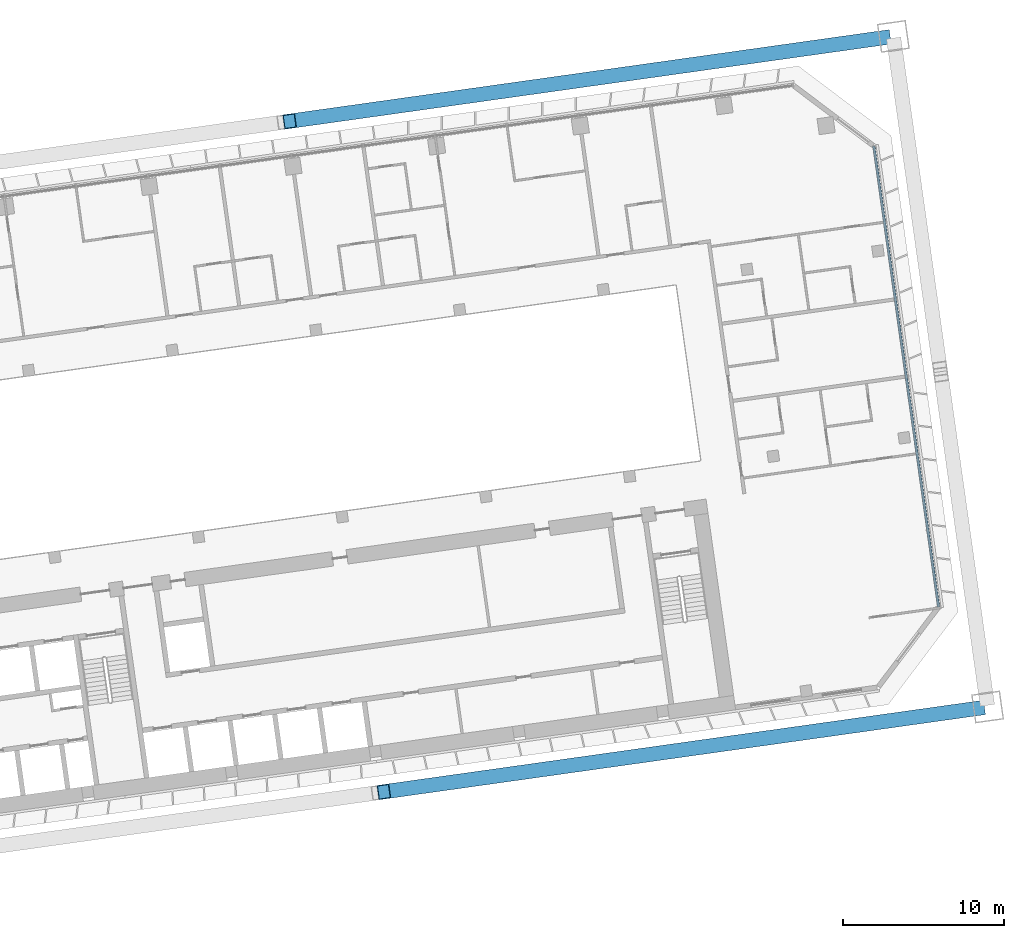
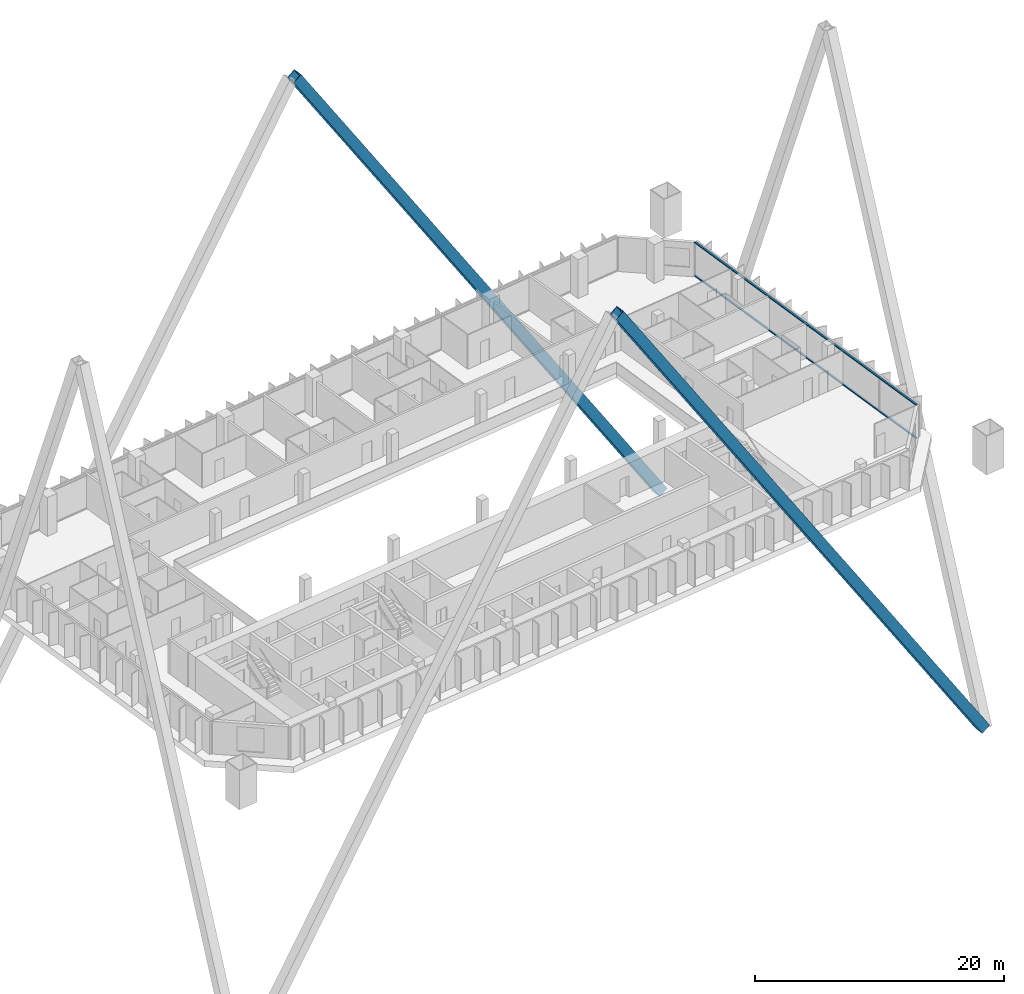
# One storey, part 30 of 49: 4 members, 1 element without a shape of its own.
"""IFC4 building model written with IfcOpenShell, lengths in metres."""

import ifcopenshell
import ifcopenshell.guid

model = None  # the IFC model being written
_history = None  # IfcOwnerHistory: only IFC2X3 demands one
_inside = {}  # id of a spatial element -> (the spatial element, [elements in it])
_under = {}  # id of a project, library or spatial element -> (it, [spatial elements below it])
_declared = {}  # id of a project -> (the project, [libraries it declares])
_typed = {}  # id of a type object -> (the type object, [elements of that type])
_made_of = {}  # id of a material, layer set ... -> (it, [elements and type objects made of it])


def new_model(schema):
    """Start an empty IFC model of exactly this schema.

    Asked for "IFC4X3", IfcOpenShell would pick the latest addendum, in which some entities
    have other attributes; the version numbers below select the first issue.
    IFC2X3 requires an IfcOwnerHistory on every rooted entity: one is made here for all.
    """
    global model, _history
    if schema == "IFC4X3":
        model = ifcopenshell.file(schema_version=(4, 3, 0, 0))
    else:
        model = ifcopenshell.file(schema=schema)
    _inside.clear()
    _under.clear()
    _declared.clear()
    _typed.clear()
    _made_of.clear()
    _history = None
    if model.schema == "IFC2X3":
        org = make("IfcOrganization", Name="unknown")
        user = make(
            "IfcPersonAndOrganization",
            ThePerson=make("IfcPerson", FamilyName="unknown"),
            TheOrganization=org,
        )
        app = make(
            "IfcApplication",
            ApplicationDeveloper=org,
            Version="unknown",
            ApplicationFullName="unknown",
            ApplicationIdentifier="unknown",
        )
        _history = make(
            "IfcOwnerHistory",
            OwningUser=user,
            OwningApplication=app,
            ChangeAction="ADDED",
            CreationDate=0,
        )
    return model


def make(cls, **values):
    """One entity of the class cls with the attributes given. An attribute that is None is left unset."""
    return model.create_entity(
        cls, **{name: value for name, value in values.items() if value is not None}
    )


def rooted(cls, **values):
    """An entity with a GlobalId (a new one), such as an element, a storey or a relation."""
    return make(cls, GlobalId=ifcopenshell.guid.new(), OwnerHistory=_history, **values)


def si_unit(unit_type, name, prefix=None):
    """IfcSIUnit, for example si_unit("LENGTHUNIT", "METRE", prefix="MILLI")."""
    return make("IfcSIUnit", UnitType=unit_type, Prefix=prefix, Name=name)


def assignment(units):
    """IfcUnitAssignment: the units of a project."""
    return None if units is None else make("IfcUnitAssignment", Units=units)


def point(xyz):
    """IfcCartesianPoint."""
    return None if xyz is None else make("IfcCartesianPoint", Coordinates=xyz)


def direction(xyz):
    """IfcDirection."""
    return None if xyz is None else make("IfcDirection", DirectionRatios=xyz)


def frame(location, z_axis=None, x_axis=None):
    """IfcAxis2Placement3D, a coordinate frame: its origin and axes. An axis left out is left unset."""
    return make(
        "IfcAxis2Placement3D",
        Location=point(location),
        Axis=direction(z_axis),
        RefDirection=direction(x_axis),
    )


def frame_2d(location, x_axis=None):
    """IfcAxis2Placement2D, a coordinate frame in the plane: its origin and x axis."""
    return make(
        "IfcAxis2Placement2D", Location=point(location), RefDirection=direction(x_axis)
    )


def origin():
    """The frame at (0, 0, 0) with its axes left unset."""
    return frame((0.0, 0.0, 0.0))


def origin_2d():
    """The frame at (0, 0) in the plane with its x axis left unset."""
    return frame_2d((0.0, 0.0))


def place(relative_to, where):
    """IfcLocalPlacement: puts the frame where relative to a parent placement (None: the world)."""
    return make(
        "IfcLocalPlacement", PlacementRelTo=relative_to, RelativePlacement=where
    )


def context(
    kind, dimensions, precision=None, world=None, true_north=None, identifier=None
):
    """IfcGeometricRepresentationContext, for example the 3D "Model" context."""
    return make(
        "IfcGeometricRepresentationContext",
        ContextIdentifier=identifier,
        ContextType=kind,
        CoordinateSpaceDimension=dimensions,
        Precision=precision,
        WorldCoordinateSystem=world,
        TrueNorth=true_north,
    )


def subcontext(parent, identifier, kind, view, scale=None):
    """IfcGeometricRepresentationSubContext, for example "Body" below "Model"."""
    return make(
        "IfcGeometricRepresentationSubContext",
        ContextIdentifier=identifier,
        ContextType=kind,
        ParentContext=parent,
        TargetScale=scale,
        TargetView=view,
    )


def project(units=None, contexts=None):
    """IfcProject with its units and contexts."""
    return rooted(
        "IfcProject",
        Name="project",
        RepresentationContexts=contexts,
        UnitsInContext=assignment(units),
    )


def spatial(cls, under=None, at=None, **own):
    """A site, building, storey or space (cls), placed at a placement, below another one or the project."""
    s = rooted(cls, ObjectPlacement=at, **own)
    if under is not None:
        _under.setdefault(under.id(), (under, []))[1].append(s)
    return s


def profile(cls, at=None, kind="AREA", **sizes):
    """A parametric profile (cls). Its sizes go by their IFC names, for example OverallWidth=200.0."""
    return make(cls, ProfileType=kind, Position=at, **sizes)


def rectangle(**sizes):
    """IfcRectangleProfileDef."""
    return profile("IfcRectangleProfileDef", **sizes)


def hollow_rectangle(**sizes):
    """IfcRectangleHollowProfileDef."""
    return profile("IfcRectangleHollowProfileDef", **sizes)


def extrude(swept, where, along, depth):
    """IfcExtrudedAreaSolid: the profile swept, set in the frame where, extruded along a direction by depth."""
    return make(
        "IfcExtrudedAreaSolid",
        SweptArea=swept,
        Position=where,
        ExtrudedDirection=direction(along),
        Depth=depth,
    )


def shape(context_of_items, identifier, shape_type, items):
    """IfcShapeRepresentation: the items that make up one representation, for example the "Body"."""
    return make(
        "IfcShapeRepresentation",
        ContextOfItems=context_of_items,
        RepresentationIdentifier=identifier,
        RepresentationType=shape_type,
        Items=items,
    )


def material(Name=None, Category=None):
    """IfcMaterial."""
    return make("IfcMaterial", Name=Name, Category=Category)


def material_profile(
    of_material, cross_section, Name=None, Category=None, Priority=None
):
    """IfcMaterialProfile: a cross section and its material."""
    return make(
        "IfcMaterialProfile",
        Name=Name,
        Material=of_material,
        Profile=cross_section,
        Priority=Priority,
        Category=Category,
    )


def profile_set(profiles, Name=None, composite=None):
    """IfcMaterialProfileSet."""
    return make(
        "IfcMaterialProfileSet",
        Name=Name,
        MaterialProfiles=profiles,
        CompositeProfile=composite,
    )


def made_of(thing, what):
    """Note that an element or type object is made of a material, layer set ...; save() writes the relation."""
    if what is not None:
        _made_of.setdefault(what.id(), (what, []))[1].append(thing)
    return thing


def type_object(cls, material=None, **own):
    """A type object (cls), such as IfcWallType, which elements share."""
    return made_of(rooted(cls, **own), material)


def element(
    cls,
    number,
    at=None,
    inside=None,
    cuts=None,
    type_object=None,
    material=None,
    context=None,
    identifier="Body",
    shape_type=None,
    held_by="IfcProductDefinitionShape",
    body=None,
    shapes=None,
    **own,
):
    """One element of the class cls, such as IfcWall. Its Tag is "e" and its number.

    at: its placement. inside: the storey or other place that contains it. cuts: it is an
    opening in that element (IfcRelVoidsElement). A single representation is given by context,
    identifier, shape_type and body (its items); several are given by shapes. held_by: the class
    of the entity that holds the representations. save() writes the other relations.
    """
    e = rooted(cls, Tag="e%d" % number, ObjectPlacement=at, **own)
    if body is not None:
        shapes = [shape(context, identifier, shape_type, body)]
    if shapes is not None:
        e.Representation = make(held_by, Representations=shapes)
    if inside is not None:
        _inside.setdefault(inside.id(), (inside, []))[1].append(e)
    if cuts is not None:
        rooted(
            "IfcRelVoidsElement", RelatingBuildingElement=cuts, RelatedOpeningElement=e
        )
    if type_object is not None:
        _typed.setdefault(type_object.id(), (type_object, []))[1].append(e)
    return made_of(e, material)


def aggregate(whole, parts):
    """IfcRelAggregates: a whole, such as a stair, and the parts it consists of."""
    return rooted("IfcRelAggregates", RelatingObject=whole, RelatedObjects=parts)


def save(model, path):
    """Write the relations noted so far, then the file.

    IfcRelAggregates (storeys below a building ...), IfcRelContainedInSpatialStructure (elements
    in a storey), IfcRelDefinesByType, IfcRelAssociatesMaterial and IfcRelDeclares: one each for
    every whole, place, type object, material and project.
    """
    for whole, parts in _under.values():
        aggregate(whole, parts)
    for where, things in _inside.values():
        rooted(
            "IfcRelContainedInSpatialStructure",
            RelatedElements=things,
            RelatingStructure=where,
        )
    for kind, things in _typed.values():
        rooted("IfcRelDefinesByType", RelatedObjects=things, RelatingType=kind)
    for what, things in _made_of.values():
        rooted("IfcRelAssociatesMaterial", RelatedObjects=things, RelatingMaterial=what)
    for by, libraries in _declared.values():
        rooted("IfcRelDeclares", RelatingContext=by, RelatedDefinitions=libraries)
    model.write(path)


model = new_model("IFC4")

# Units and contexts
model_context = context("Model", 3, precision=1e-05, world=origin(), true_north=direction((0.0, 1.0)))
body_context = subcontext(model_context, "Body", "Model", "MODEL_VIEW")
ifc_project = project(units=[si_unit("LENGTHUNIT", "METRE"), si_unit("AREAUNIT", "SQUARE_METRE"), si_unit("VOLUMEUNIT", "CUBIC_METRE"), si_unit("PLANEANGLEUNIT", "RADIAN"), si_unit("MASSUNIT", "GRAM", prefix="KILO")], contexts=[model_context])

# Site, building, storey
site_placement = place(None, origin())
site = spatial("IfcSite", under=ifc_project, at=site_placement, CompositionType="ELEMENT")
building_placement = place(site_placement, origin())
building = spatial("IfcBuilding", under=site, at=building_placement, Name="Mirante Cascada Hotel Towers", CompositionType="ELEMENT")
storey_placement = place(building_placement, frame((0.0, 0.0, 66.1)))
storey = spatial("IfcBuildingStorey", under=building, at=storey_placement, Name="L13", CompositionType="ELEMENT", Elevation=66.1)

# Members
ifc_material_1 = material(Name="Steel ASTM A572 Gr 50", Category="steel")
ifc_material_profile_1 = material_profile(ifc_material_1, hollow_rectangle(XDim=0.9, YDim=0.9, WallThickness=0.045, at=origin_2d()), Name="Box brace 900x900x45 ASTM A572 Gr 50")
ifc_profile_set_1 = profile_set([ifc_material_profile_1], Name="Steel ASTM A572 Gr 50")
member_type_1 = type_object("IfcMemberType", Name="Box brace 900x900x45 ASTM A572 Gr 50", PredefinedType="BRACE", material=ifc_profile_set_1)
for number, where, z_axis, x_axis, name in (
    (1, (99.7886, 29.0145, -25.2549), (-0.5445943, -0.0765374, 0.8352), (0.1391725, -0.9902681, 0.0), "brace T2 L13 2"),
    (2, (105.6339, -12.5767, -25.2549), (-0.5445943, -0.0765389, 0.8351999), (0.1391752, -0.9902678, 0.0), "brace T2 L13 4"),
):
    element("IfcMember", number, at=place(storey_placement, frame(where, z_axis=z_axis, x_axis=x_axis)), inside=storey, type_object=member_type_1, Name=name, PredefinedType="BRACE", context=body_context, shape_type="SweptSolid", body=[
        extrude(hollow_rectangle(XDim=0.9, YDim=0.9, WallThickness=0.045, at=origin_2d()), origin(), (0.0, 0.0, 1.0), 67.7172),
    ])

# Curtain wall, members
ifc_material_2 = material(Name="Aluminium mullion and transom frame with clear laminated glass", Category="aluminium")
curtain_wall_type = type_object("IfcCurtainWallType", Name="End ribbon curtain wall ECW2", PredefinedType="NOTDEFINED", material=ifc_material_2)
curtain_wall_placement = place(storey_placement, origin())
curtain_wall = element("IfcCurtainWall", 3, at=curtain_wall_placement, inside=storey, type_object=curtain_wall_type, Name="Outer end wall T2 L13", PredefinedType="NOTDEFINED")
ifc_material_3 = material(Name="Anodised aluminium extrusion", Category="aluminium")
ifc_material_profile_2 = material_profile(ifc_material_3, rectangle(XDim=0.16, YDim=0.1, at=origin_2d()), Name="ECW2 TRANSOM 100x160")
ifc_profile_set_2 = profile_set([ifc_material_profile_2], Name="Anodised aluminium extrusion")
member_type_2 = type_object("IfcMemberType", Name="ECW2 transom 100x160", PredefinedType="USERDEFINED", material=ifc_profile_set_2)
member_1_placement = place(storey_placement, frame((103.1601, -6.2978, 0.05), z_axis=(-0.1391723, 0.9902682, 0.0), x_axis=(-0.9902682, -0.1391723, 0.0)))
member_1 = element("IfcMember", 4, at=member_1_placement, type_object=member_type_2, Name="ECW2 sill transom", ObjectType="TRANSOM", PredefinedType="USERDEFINED", context=body_context, shape_type="SweptSolid", body=[
    extrude(rectangle(XDim=0.16, YDim=0.1, at=origin_2d()), origin(), (0.0, 0.0, 1.0), 28.8757),
])
member_2_placement = place(storey_placement, frame((103.1601, -6.2978, 3.3), z_axis=(-0.1391723, 0.9902682, 0.0), x_axis=(-0.9902682, -0.1391723, 0.0)))
member_2 = element("IfcMember", 5, at=member_2_placement, type_object=member_type_2, Name="ECW2 head transom", ObjectType="TRANSOM", PredefinedType="USERDEFINED", context=body_context, shape_type="SweptSolid", body=[
    extrude(rectangle(XDim=0.16, YDim=0.1, at=origin_2d()), origin(), (0.0, 0.0, 1.0), 28.8757),
])
aggregate(curtain_wall, [member_1, member_2])

save(model, "model.ifc")
